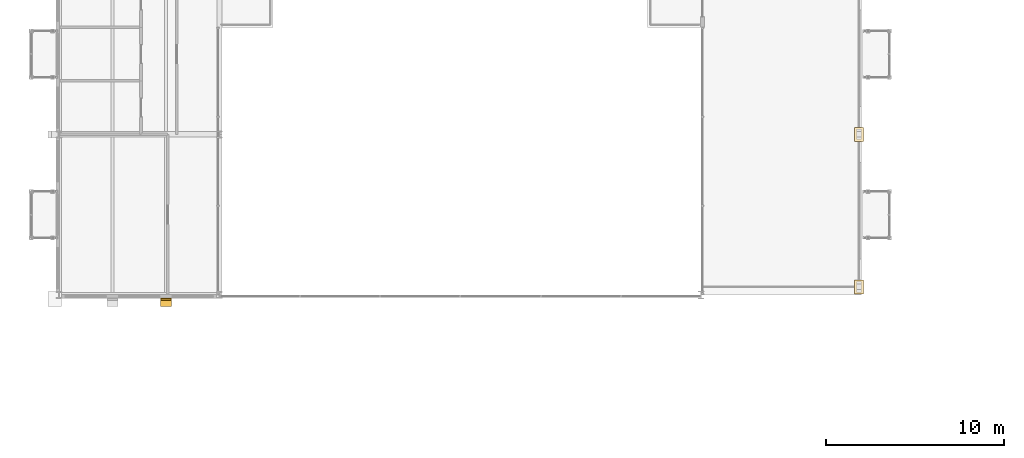
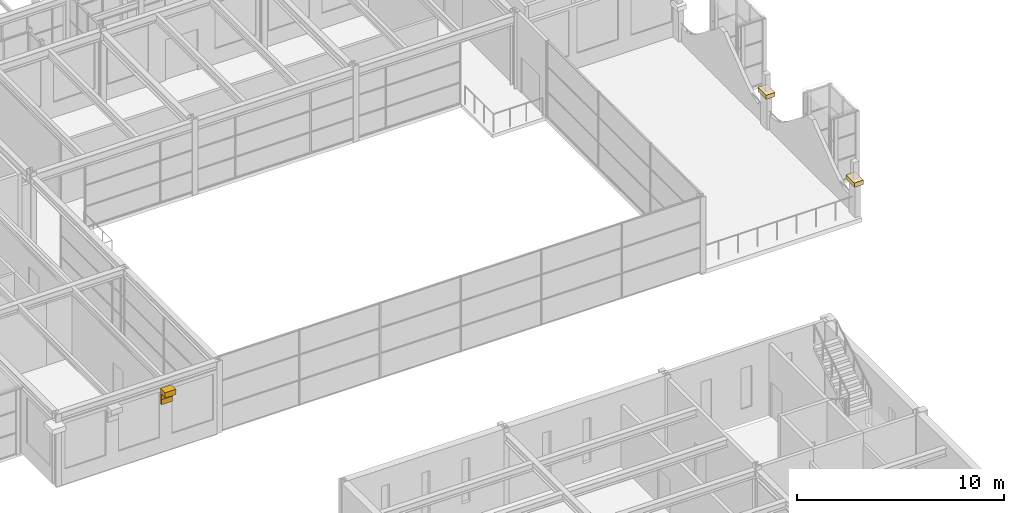
# One storey, part 109 of 111: 5 coverings.
"""IFC4 building model written with IfcOpenShell, lengths in metres."""

from ifc_helpers import new_model, si_unit, direction, frame, origin, origin_2d, place, context, subcontext, project, spatial, rectangle, extrude, material, layer, layer_set, type_object, element, save


model = new_model("IFC4")

# Units and contexts
model_context = context("Model", 3, precision=1e-05, world=origin(), true_north=direction((0.0, 1.0)))
body_context = subcontext(model_context, "Body", "Model", "MODEL_VIEW")
ifc_project = project(units=[si_unit("LENGTHUNIT", "METRE"), si_unit("AREAUNIT", "SQUARE_METRE"), si_unit("VOLUMEUNIT", "CUBIC_METRE"), si_unit("PLANEANGLEUNIT", "RADIAN"), si_unit("MASSUNIT", "GRAM", prefix="KILO")], contexts=[model_context])

# Site, building, storey
site_placement = place(None, origin())
site = spatial("IfcSite", under=ifc_project, at=site_placement, CompositionType="ELEMENT")
building_placement = place(site_placement, origin())
building = spatial("IfcBuilding", under=site, at=building_placement, Name="Kallimachos Central Library", CompositionType="ELEMENT")
storey_placement = place(building_placement, frame((0.0, 0.0, 14.39990234375)))
storey = spatial("IfcBuildingStorey", under=building, at=storey_placement, Name="L03", CompositionType="ELEMENT", Elevation=14.39990234375)

# Coverings
ifc_material_1 = material(Name="Glazed ceramic frieze, green")
ifc_layer_1 = layer(ifc_material_1, 0.10009765625)
ifc_layer_set_1 = layer_set([ifc_layer_1], Name="Glazed ceramic frieze, green")
covering_type_1 = type_object("IfcCoveringType", Name="Glazed ceramic frieze, green", PredefinedType="CLADDING", material=ifc_layer_set_1)
covering_1_placement = place(storey_placement, frame((71.5, 56.761474609375, 3.18017578125), z_axis=(0.0, 0.0, 1.0), x_axis=(1.0, 0.0, 0.0)))
element("IfcCovering", 1, at=covering_1_placement, inside=storey, type_object=covering_type_1, Name="Glazed ceramic frieze, green -L03-024", PredefinedType="CLADDING", context=body_context, shape_type="SweptSolid", body=[
    extrude(rectangle(XDim=0.60009765625, YDim=0.10009765625, at=origin_2d()), origin(), (0.0, 0.0, 1.0), 0.300048828125),
])
ifc_material_2 = material(Name="Glazed ceramic frieze, ochre")
ifc_layer_2 = layer(ifc_material_2, 0.10009765625)
ifc_layer_set_2 = layer_set([ifc_layer_2], Name="Glazed ceramic frieze, ochre")
covering_type_2 = type_object("IfcCoveringType", Name="Glazed ceramic frieze, ochre", PredefinedType="CLADDING", material=ifc_layer_set_2)
covering_2_placement = place(storey_placement, frame((71.5, 56.761474609375, 2.8798828125), z_axis=(0.0, 0.0, 1.0), x_axis=(1.0, 0.0, 0.0)))
element("IfcCovering", 2, at=covering_2_placement, inside=storey, type_object=covering_type_2, Name="Glazed ceramic frieze, ochre -L03-024", PredefinedType="CLADDING", context=body_context, shape_type="SweptSolid", body=[
    extrude(rectangle(XDim=0.60009765625, YDim=0.10009765625, at=origin_2d()), origin(), (0.0, 0.0, 1.0), 0.300048828125),
])
ifc_material_3 = material(Name="Pentelic marble cornice", Category="masonry")
ifc_layer_3 = layer(ifc_material_3, 0.449951171875)
ifc_layer_set_3 = layer_set([ifc_layer_3], Name="Stone cornice 450")
covering_type_3 = type_object("IfcCoveringType", Name="Stone cornice 450", PredefinedType="MOLDING", material=ifc_layer_set_3)
covering_3_placement = place(storey_placement, frame((71.5, 56.58642578125, 3.5), z_axis=(0.0, 0.0, 1.0), x_axis=(1.0, 0.0, 0.0)))
element("IfcCovering", 3, at=covering_3_placement, inside=storey, type_object=covering_type_3, Name="Stone cornice 450 -L03-024", PredefinedType="MOLDING", context=body_context, shape_type="SweptSolid", body=[
    extrude(rectangle(XDim=0.60009765625, YDim=0.449951171875, at=origin_2d()), origin(), (0.0, 0.0, 1.0), 0.300048828125),
])
ifc_material_4 = material(Name="Pentelic marble pinnacle cap", Category="masonry")
ifc_layer_4 = layer(ifc_material_4, 0.800048828125)
ifc_layer_set_4 = layer_set([ifc_layer_4], Name="Stone pinnacle cap 800")
covering_type_4 = type_object("IfcCoveringType", Name="Stone pinnacle cap 800", PredefinedType="MOLDING", material=ifc_layer_set_4)
for number, where, z_axis, x_axis, name in (
    (4, (110.35009765625, 57.449951171875, 1.900146484375), (0.0, 0.0, 1.0), (1.0, 0.0, 0.0), "East wing roof edge pinnacle 1 cap"),
    (5, (110.35009765625, 66.0, 1.900146484375), (0.0, 0.0, 1.0), (1.0, 0.0, 0.0), "East wing roof edge pinnacle 2 cap"),
):
    element("IfcCovering", number, at=place(storey_placement, frame(where, z_axis=z_axis, x_axis=x_axis)), inside=storey, type_object=covering_type_4, Name=name, PredefinedType="MOLDING", context=body_context, shape_type="SweptSolid", body=[
        extrude(rectangle(XDim=0.5, YDim=0.800048828125, at=origin_2d()), origin(), (0.0, 0.0, 1.0), 0.25),
    ])

save(model, "model.ifc")
